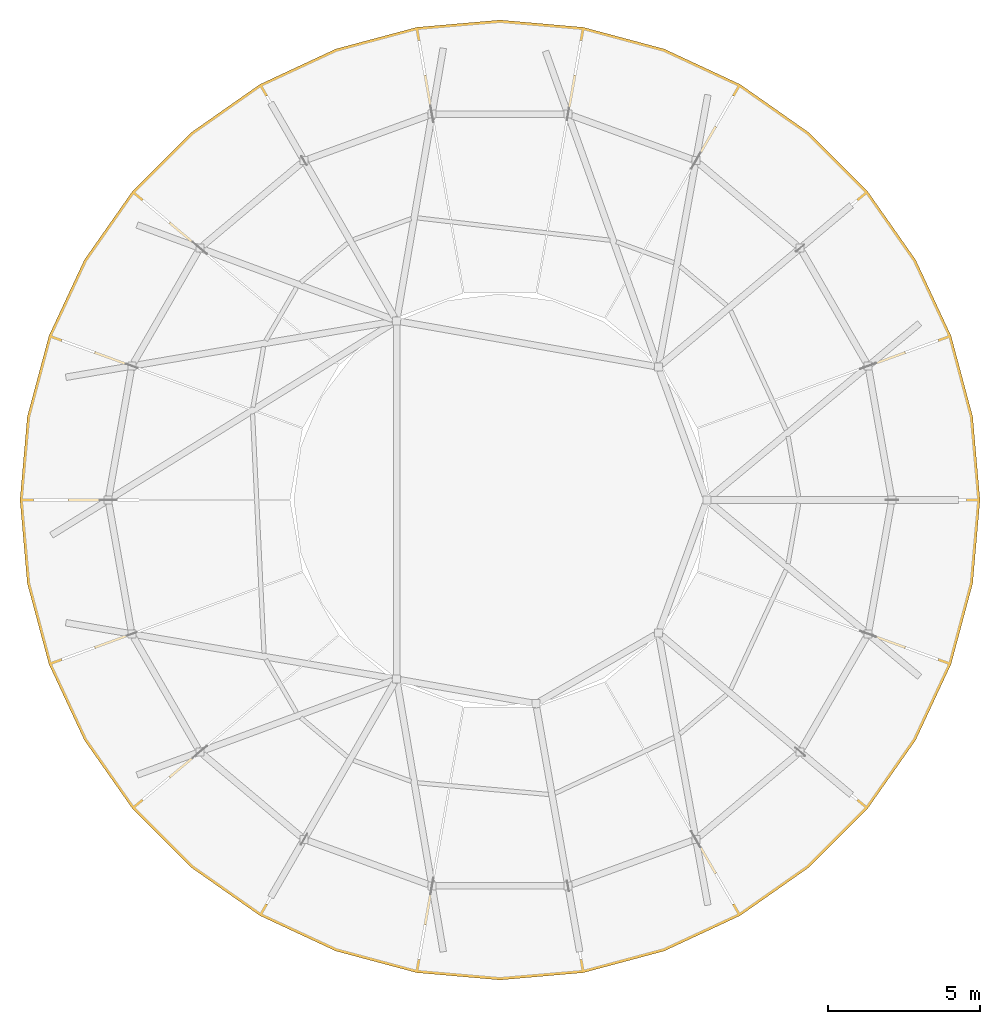
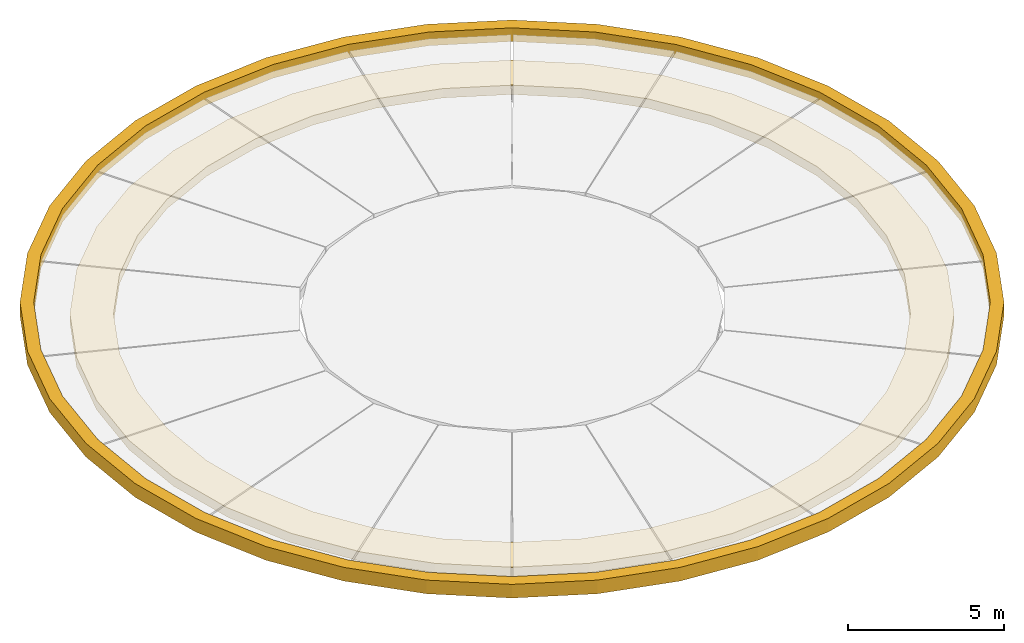
# One storey, part 6 of 6: 2 coverings.
"""IFC4 building model written with IfcOpenShell, lengths in metres."""

from ifc_helpers import new_model, si_unit, direction, frame, origin, place, context, subcontext, project, spatial, polyline, outline, extrude, material, layer, layer_set, type_object, element, save


model = new_model("IFC4")

# Units and contexts
model_context = context("Model", 3, precision=1e-05, world=origin(), true_north=direction((0.0, 1.0)))
body_context = subcontext(model_context, "Body", "Model", "MODEL_VIEW")
ifc_project = project(units=[si_unit("LENGTHUNIT", "METRE"), si_unit("AREAUNIT", "SQUARE_METRE"), si_unit("VOLUMEUNIT", "CUBIC_METRE"), si_unit("PLANEANGLEUNIT", "RADIAN"), si_unit("MASSUNIT", "GRAM", prefix="KILO")], contexts=[model_context])

# Site, building, storey
site_placement = place(None, origin())
site = spatial("IfcSite", under=ifc_project, at=site_placement, CompositionType="ELEMENT")
building_placement = place(site_placement, origin())
building = spatial("IfcBuilding", under=site, at=building_placement, Name="Aldenvaro Health Centre", CompositionType="ELEMENT")
storey_placement = place(building_placement, frame((0.0, 0.0, 25.550048828125)))
storey = spatial("IfcBuildingStorey", under=building, at=storey_placement, Name="RF", CompositionType="ELEMENT", Elevation=25.550048828125)

# Coverings
ifc_material = material(Name="Honed Sonoran Buff Limestone", Category="masonry")
ifc_layer = layer(ifc_material, 0.280029296875, Name="Honed Sonoran Buff Limestone", Category="masonry")
ifc_layer_set = layer_set([ifc_layer], Name="Honed Sonoran Buff Limestone")
covering_type = type_object("IfcCoveringType", Name="COV-CRN-STN", PredefinedType="CLADDING", material=ifc_layer_set)
covering_1_placement = place(storey_placement, frame((0.0, 0.0, 0.260009765625)))
element("IfcCovering", 1, at=covering_1_placement, inside=storey, type_object=covering_type, Name="D4 Classical Roof Entablature Frieze 1", PredefinedType="CLADDING", context=body_context, shape_type="SweptSolid", body=[
    extrude(outline(polyline([(32.679931640625, 99.5), (32.465087890625, 101.9619140625), (31.824951171875, 104.35009765625), (30.780029296875, 106.590087890625), (29.363037109375, 108.614990234375), (27.614990234375, 110.363037109375), (25.590087890625, 111.780029296875), (23.35009765625, 112.824951171875), (20.9619140625, 113.465087890625), (18.5, 113.679931640625), (16.0380859375, 113.465087890625), (13.64990234375, 112.824951171875), (11.409912109375, 111.780029296875), (9.385009765625, 110.363037109375), (7.636962890625, 108.614990234375), (6.219970703125, 106.590087890625), (5.175048828125, 104.35009765625), (4.534912109375, 101.9619140625), (4.320068359375, 99.5), (4.534912109375, 97.0380859375), (5.175048828125, 94.64990234375), (6.219970703125, 92.409912109375), (7.636962890625, 90.385009765625), (9.385009765625, 88.636962890625), (11.409912109375, 87.219970703125), (13.64990234375, 86.175048828125), (16.0380859375, 85.534912109375), (18.5, 85.320068359375), (20.9619140625, 85.534912109375), (23.35009765625, 86.175048828125), (25.590087890625, 87.219970703125), (27.614990234375, 88.636962890625), (29.363037109375, 90.385009765625), (30.780029296875, 92.409912109375), (31.824951171875, 94.64990234375), (32.465087890625, 97.0380859375), (32.679931640625, 99.5)]), holes=[polyline([(31.280029296875, 99.5), (31.0859375, 97.281005859375), (30.509033203125, 95.12890625), (29.568115234375, 93.110107421875), (28.2900390625, 91.284912109375), (26.715087890625, 89.7099609375), (24.889892578125, 88.431884765625), (22.87109375, 87.490966796875), (20.718994140625, 86.9140625), (18.5, 86.719970703125), (16.281005859375, 86.9140625), (14.12890625, 87.490966796875), (12.110107421875, 88.431884765625), (10.284912109375, 89.7099609375), (8.7099609375, 91.284912109375), (7.431884765625, 93.110107421875), (6.490966796875, 95.12890625), (5.9140625, 97.281005859375), (5.719970703125, 99.5), (5.9140625, 101.718994140625), (6.490966796875, 103.87109375), (7.431884765625, 105.889892578125), (8.7099609375, 107.715087890625), (10.284912109375, 109.2900390625), (12.110107421875, 110.568115234375), (14.12890625, 111.509033203125), (16.281005859375, 112.0859375), (18.5, 112.280029296875), (20.718994140625, 112.0859375), (22.87109375, 111.509033203125), (24.889892578125, 110.568115234375), (26.715087890625, 109.2900390625), (28.2900390625, 107.715087890625), (29.568115234375, 105.889892578125), (30.509033203125, 103.87109375), (31.0859375, 101.718994140625), (31.280029296875, 99.5)])]), origin(), (0.0, 0.0, 1.0), 0.364990234375),
])
covering_2_placement = place(storey_placement, frame((0.0, 0.0, 0.5400390625)))
element("IfcCovering", 2, at=covering_2_placement, inside=storey, type_object=covering_type, Name="D4 Classical Overhanging Corona and Attic Ring", PredefinedType="CLADDING", context=body_context, shape_type="SweptSolid", body=[
    extrude(outline(polyline([(34.280029296875, 99.5), (34.0400390625, 102.239990234375), (33.327880859375, 104.89697265625), (32.166015625, 107.389892578125), (30.587890625, 109.64306640625), (28.64306640625, 111.587890625), (26.389892578125, 113.166015625), (23.89697265625, 114.327880859375), (21.239990234375, 115.0400390625), (18.5, 115.280029296875), (15.760009765625, 115.0400390625), (13.10302734375, 114.327880859375), (10.610107421875, 113.166015625), (8.35693359375, 111.587890625), (6.412109375, 109.64306640625), (4.833984375, 107.389892578125), (3.672119140625, 104.89697265625), (2.9599609375, 102.239990234375), (2.719970703125, 99.5), (2.9599609375, 96.760009765625), (3.672119140625, 94.10302734375), (4.833984375, 91.610107421875), (6.412109375, 89.35693359375), (8.35693359375, 87.412109375), (10.610107421875, 85.833984375), (13.10302734375, 84.672119140625), (15.760009765625, 83.9599609375), (18.5, 83.719970703125), (21.239990234375, 83.9599609375), (23.89697265625, 84.672119140625), (26.389892578125, 85.833984375), (28.64306640625, 87.412109375), (30.587890625, 89.35693359375), (32.166015625, 91.610107421875), (33.327880859375, 94.10302734375), (34.0400390625, 96.760009765625), (34.280029296875, 99.5)]), holes=[polyline([(33.840087890625, 99.5), (33.60693359375, 96.8359375), (32.9150390625, 94.2529296875), (31.784912109375, 91.830078125), (30.2509765625, 89.639892578125), (28.360107421875, 87.7490234375), (26.169921875, 86.215087890625), (23.7470703125, 85.0849609375), (21.1640625, 84.39306640625), (18.5, 84.159912109375), (15.8359375, 84.39306640625), (13.2529296875, 85.0849609375), (10.830078125, 86.215087890625), (8.639892578125, 87.7490234375), (6.7490234375, 89.639892578125), (5.215087890625, 91.830078125), (4.0849609375, 94.2529296875), (3.39306640625, 96.8359375), (3.159912109375, 99.5), (3.39306640625, 102.1640625), (4.0849609375, 104.7470703125), (5.215087890625, 107.169921875), (6.7490234375, 109.360107421875), (8.639892578125, 111.2509765625), (10.830078125, 112.784912109375), (13.2529296875, 113.9150390625), (15.8359375, 114.60693359375), (18.5, 114.840087890625), (21.1640625, 114.60693359375), (23.7470703125, 113.9150390625), (26.169921875, 112.784912109375), (28.360107421875, 111.2509765625), (30.2509765625, 109.360107421875), (31.784912109375, 107.169921875), (32.9150390625, 104.7470703125), (33.60693359375, 102.1640625), (33.840087890625, 99.5)])]), origin(), (0.0, 0.0, 1.0), 0.534912109375),
])

save(model, "model.ifc")
